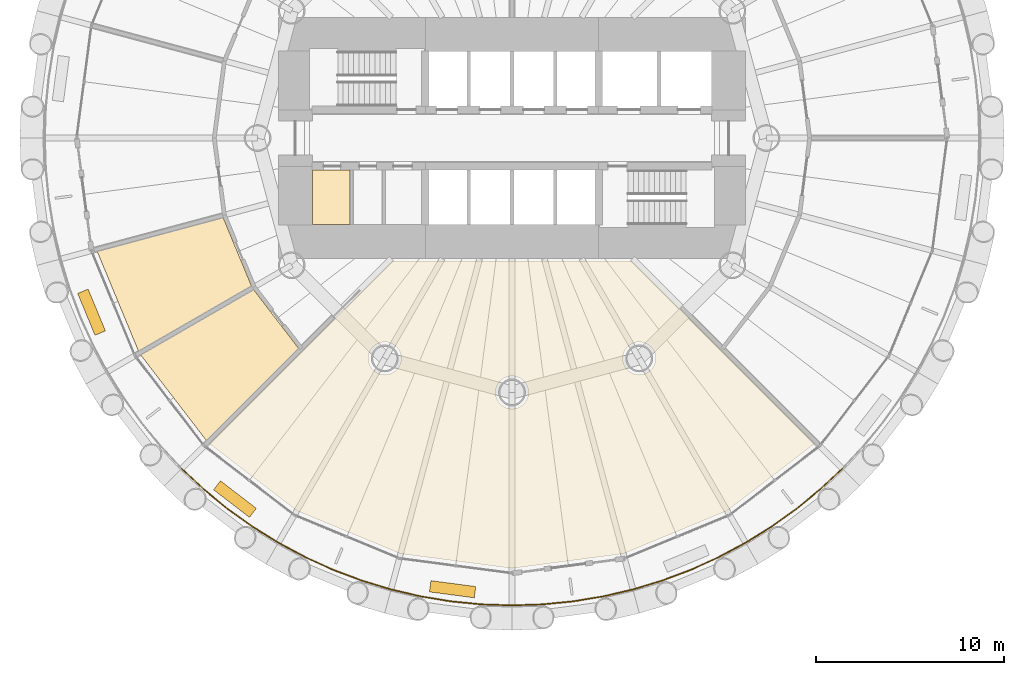
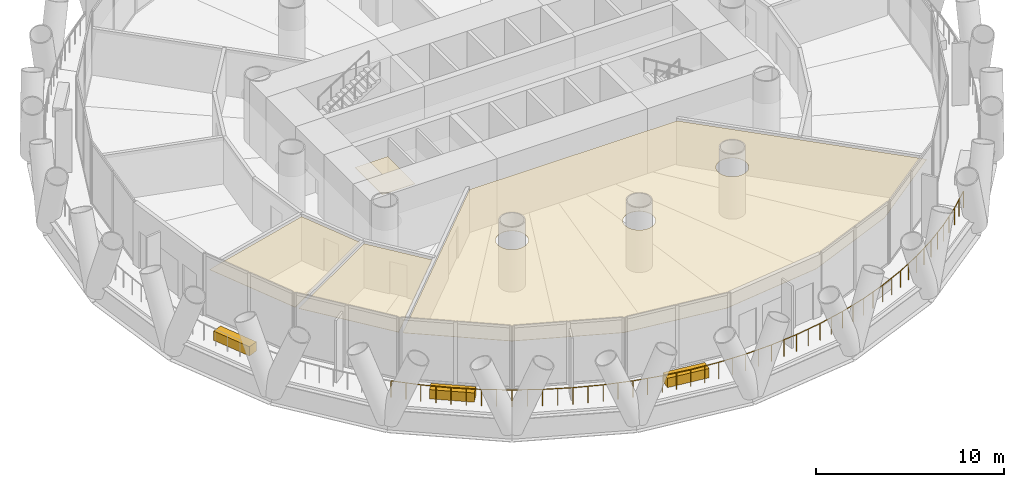
# One storey, part 11 of 14: 7 coverings, 1 railing.
"""IFC4 building model written with IfcOpenShell, lengths in metres."""

from ifc_helpers import new_model, si_unit, direction, frame, origin, origin_2d, place, context, subcontext, project, spatial, polyline, rectangle, circle, outline, extrude, material, layer, layer_set, type_object, element, save


model = new_model("IFC4")

# Units and contexts
model_context = context("Model", 3, precision=1e-05, world=origin(), true_north=direction((0.0, 1.0)))
body_context = subcontext(model_context, "Body", "Model", "MODEL_VIEW")
ifc_project = project(units=[si_unit("LENGTHUNIT", "METRE"), si_unit("AREAUNIT", "SQUARE_METRE"), si_unit("VOLUMEUNIT", "CUBIC_METRE"), si_unit("PLANEANGLEUNIT", "RADIAN"), si_unit("MASSUNIT", "GRAM", prefix="KILO")], contexts=[model_context])

# Site, building, storey
site_placement = place(None, origin())
site = spatial("IfcSite", under=ifc_project, at=site_placement, CompositionType="ELEMENT")
building_placement = place(site_placement, origin())
building = spatial("IfcBuilding", under=site, at=building_placement, Name="Qaws Media Tower", CompositionType="ELEMENT")
storey_placement = place(building_placement, frame((0.0, 0.0, 76.39990234375)))
storey = spatial("IfcBuildingStorey", under=building, at=storey_placement, Name="L16", CompositionType="ELEMENT", Elevation=76.39990234375)

# Railing
ifc_material_1 = material(Name="Stainless steel and glass guard", Category="steel")
railing_type = type_object("IfcRailingType", Name="Balcony guard 1100", PredefinedType="GUARDRAIL", material=ifc_material_1)
railing_placement = place(storey_placement, frame((42.4638671875, 32.4638671875, 0.0)))
element("IfcRailing", 1, at=railing_placement, inside=storey, type_object=railing_type, Name="GR1 balcony guard L16-3", PredefinedType="GUARDRAIL", context=body_context, shape_type="SweptSolid", body=[
    extrude(circle(Radius=0.02392578125, at=origin_2d()), frame((0.0, 0.0, 1.076171875), z_axis=(0.729823335563, -0.683635794022, 0.0), x_axis=(0.683635794022, 0.729823335563, 0.0)), (0.0, 0.0, 1.0), 1.622802734375),
    extrude(circle(Radius=0.02392578125, at=origin_2d()), frame((1.184326171875, -1.109375, 1.076171875), z_axis=(0.773044998385, -0.634351188595, 0.0), x_axis=(0.634351188595, 0.773044998385, 0.0)), (0.0, 0.0, 1.0), 1.623046875),
    extrude(circle(Radius=0.02392578125, at=origin_2d()), frame((2.43896484375, -2.138916015625, 1.076171875), z_axis=(0.812827812024, -0.582504032604, 0.0), x_axis=(0.582504032604, 0.812827812024, 0.0)), (0.0, 0.0, 1.0), 1.622802734375),
    extrude(circle(Radius=0.02392578125, at=origin_2d()), frame((3.758056640625, -3.084228515625, 1.076171875), z_axis=(0.849154052867, -0.528145239967, 0.0), x_axis=(0.528145239967, 0.849154052867, 0.0)), (0.0, 0.0, 1.0), 1.623046875),
    extrude(circle(Radius=0.02392578125, at=origin_2d()), frame((5.13623046875, -3.94140625, 1.076171875), z_axis=(0.881940295508, -0.471361130301, 0.0), x_axis=(0.471361130301, 0.881940295508, 0.0)), (0.0, 0.0, 1.0), 1.622802734375),
    extrude(circle(Radius=0.02392578125, at=origin_2d()), frame((6.5673828125, -4.706298828125, 1.076171875), z_axis=(0.910891239734, -0.412646518677, 0.0), x_axis=(0.412646518677, 0.910891239734, 0.0)), (0.0, 0.0, 1.0), 1.622802734375),
    extrude(circle(Radius=0.02392578125, at=origin_2d()), frame((8.045654296875, -5.3759765625, 1.076171875), z_axis=(0.935877089003, -0.352326658486, 0.0), x_axis=(0.352326658486, 0.935877089003, 0.0)), (0.0, 0.0, 1.0), 1.622802734375),
    extrude(circle(Radius=0.02392578125, at=origin_2d()), frame((9.564453125, -5.94775390625, 1.076171875), z_axis=(0.956923127669, -0.290341398585, 0.0), x_axis=(0.290341398585, 0.956923127669, 0.0)), (0.0, 0.0, 1.0), 1.622802734375),
    extrude(circle(Radius=0.02392578125, at=origin_2d()), frame((11.117431640625, -6.4189453125, 1.076171875), z_axis=(0.973894444351, -0.227001346389, 0.0), x_axis=(0.227001346389, 0.973894444351, 0.0)), (0.0, 0.0, 1.0), 1.623046875),
    extrude(circle(Radius=0.02392578125, at=origin_2d()), frame((12.697998046875, -6.787353515625, 1.076171875), z_axis=(0.986636807112, -0.162934989647, 0.0), x_axis=(0.162934989647, 0.986636807112, 0.0)), (0.0, 0.0, 1.0), 1.622802734375),
    extrude(circle(Radius=0.02392578125, at=origin_2d()), frame((14.299072265625, -7.0517578125, 1.076171875), z_axis=(0.995192364026, -0.097939565983, 0.0), x_axis=(0.097939565983, 0.995192364026, 0.0)), (0.0, 0.0, 1.0), 1.622802734375),
    extrude(circle(Radius=0.02392578125, at=origin_2d()), frame((15.9140625, -7.210693359375, 1.076171875), z_axis=(0.999462135048, -0.032793911114, 0.0), x_axis=(0.032793911114, 0.999462135048, 0.0)), (0.0, 0.0, 1.0), 1.623046875),
    extrude(circle(Radius=0.02392578125, at=origin_2d()), frame((17.5361328125, -7.263916015625, 1.076171875), z_axis=(0.999462135048, 0.032793911114, 0.0), x_axis=(-0.032793911114, 0.999462135048, 0.0)), (0.0, 0.0, 1.0), 1.623046875),
    extrude(circle(Radius=0.02392578125, at=origin_2d()), frame((19.158203125, -7.210693359375, 1.076171875), z_axis=(0.995192364026, 0.097939565983, 0.0), x_axis=(-0.097939565983, 0.995192364026, 0.0)), (0.0, 0.0, 1.0), 1.622802734375),
    extrude(circle(Radius=0.02392578125, at=origin_2d()), frame((20.773193359375, -7.0517578125, 1.076171875), z_axis=(0.986636807112, 0.162934989647, 0.0), x_axis=(-0.162934989647, 0.986636807112, 0.0)), (0.0, 0.0, 1.0), 1.622802734375),
    extrude(circle(Radius=0.02392578125, at=origin_2d()), frame((22.374267578125, -6.787353515625, 1.076171875), z_axis=(0.973894444351, 0.227001346389, 0.0), x_axis=(-0.227001346389, 0.973894444351, 0.0)), (0.0, 0.0, 1.0), 1.623046875),
    extrude(circle(Radius=0.02392578125, at=origin_2d()), frame((23.954833984375, -6.4189453125, 1.076171875), z_axis=(0.956923127669, 0.290341398585, 0.0), x_axis=(-0.290341398585, 0.956923127669, 0.0)), (0.0, 0.0, 1.0), 1.622802734375),
    extrude(circle(Radius=0.02392578125, at=origin_2d()), frame((25.5078125, -5.94775390625, 1.076171875), z_axis=(0.935877089003, 0.352326658486, 0.0), x_axis=(-0.352326658486, 0.935877089003, 0.0)), (0.0, 0.0, 1.0), 1.622802734375),
    extrude(circle(Radius=0.02392578125, at=origin_2d()), frame((27.026611328125, -5.3759765625, 1.076171875), z_axis=(0.910891239734, 0.412646518677, 0.0), x_axis=(-0.412646518677, 0.910891239734, 0.0)), (0.0, 0.0, 1.0), 1.622802734375),
    extrude(circle(Radius=0.02392578125, at=origin_2d()), frame((28.5048828125, -4.706298828125, 1.076171875), z_axis=(0.881940295508, 0.471361130301, 0.0), x_axis=(-0.471361130301, 0.881940295508, 0.0)), (0.0, 0.0, 1.0), 1.622802734375),
    extrude(circle(Radius=0.02392578125, at=origin_2d()), frame((29.93603515625, -3.94140625, 1.076171875), z_axis=(0.849154052867, 0.528145239967, 0.0), x_axis=(-0.528145239967, 0.849154052867, 0.0)), (0.0, 0.0, 1.0), 1.623046875),
    extrude(circle(Radius=0.02392578125, at=origin_2d()), frame((31.314208984375, -3.084228515625, 1.076171875), z_axis=(0.812827812024, 0.582504032604, 0.0), x_axis=(-0.582504032604, 0.812827812024, 0.0)), (0.0, 0.0, 1.0), 1.622802734375),
    extrude(circle(Radius=0.02392578125, at=origin_2d()), frame((32.63330078125, -2.138916015625, 1.076171875), z_axis=(0.773044998385, 0.634351188595, 0.0), x_axis=(-0.634351188595, 0.773044998385, 0.0)), (0.0, 0.0, 1.0), 1.623046875),
    extrude(circle(Radius=0.02392578125, at=origin_2d()), frame((33.887939453125, -1.109375, 1.076171875), z_axis=(0.729823335563, 0.683635794022, 0.0), x_axis=(-0.683635794022, 0.729823335563, 0.0)), (0.0, 0.0, 1.0), 1.622802734375),
    extrude(circle(Radius=0.02099609375, at=origin_2d()), origin(), (0.0, 0.0, 1.0), 1.052001953125),
    extrude(circle(Radius=0.02099609375, at=origin_2d()), frame((0.59228515625, -0.5546875, 0.0)), (0.0, 0.0, 1.0), 1.052001953125),
    extrude(circle(Radius=0.02099609375, at=origin_2d()), frame((1.184326171875, -1.109375, 0.0)), (0.0, 0.0, 1.0), 1.052001953125),
    extrude(circle(Radius=0.02099609375, at=origin_2d()), frame((1.8115234375, -1.6240234375, 0.0)), (0.0, 0.0, 1.0), 1.052001953125),
    extrude(circle(Radius=0.02099609375, at=origin_2d()), frame((2.43896484375, -2.138916015625, 0.0)), (0.0, 0.0, 1.0), 1.052001953125),
    extrude(circle(Radius=0.02099609375, at=origin_2d()), frame((3.0986328125, -2.611572265625, 0.0)), (0.0, 0.0, 1.0), 1.052001953125),
    extrude(circle(Radius=0.02099609375, at=origin_2d()), frame((3.758056640625, -3.084228515625, 0.0)), (0.0, 0.0, 1.0), 1.052001953125),
    extrude(circle(Radius=0.02099609375, at=origin_2d()), frame((4.447265625, -3.5126953125, 0.0)), (0.0, 0.0, 1.0), 1.052001953125),
    extrude(circle(Radius=0.02099609375, at=origin_2d()), frame((5.13623046875, -3.94140625, 0.0)), (0.0, 0.0, 1.0), 1.052001953125),
    extrude(circle(Radius=0.02099609375, at=origin_2d()), frame((5.851806640625, -4.32373046875, 0.0)), (0.0, 0.0, 1.0), 1.052001953125),
    extrude(circle(Radius=0.02099609375, at=origin_2d()), frame((6.5673828125, -4.706298828125, 0.0)), (0.0, 0.0, 1.0), 1.052001953125),
    extrude(circle(Radius=0.02099609375, at=origin_2d()), frame((7.306640625, -5.041015625, 0.0)), (0.0, 0.0, 1.0), 1.052001953125),
    extrude(circle(Radius=0.02099609375, at=origin_2d()), frame((8.045654296875, -5.3759765625, 0.0)), (0.0, 0.0, 1.0), 1.052001953125),
    extrude(circle(Radius=0.02099609375, at=origin_2d()), frame((8.80517578125, -5.661865234375, 0.0)), (0.0, 0.0, 1.0), 1.052001953125),
    extrude(circle(Radius=0.02099609375, at=origin_2d()), frame((9.564453125, -5.94775390625, 0.0)), (0.0, 0.0, 1.0), 1.052001953125),
    extrude(circle(Radius=0.02099609375, at=origin_2d()), frame((10.3408203125, -6.183349609375, 0.0)), (0.0, 0.0, 1.0), 1.052001953125),
    extrude(circle(Radius=0.02099609375, at=origin_2d()), frame((11.117431640625, -6.4189453125, 0.0)), (0.0, 0.0, 1.0), 1.052001953125),
    extrude(circle(Radius=0.02099609375, at=origin_2d()), frame((11.90771484375, -6.60302734375, 0.0)), (0.0, 0.0, 1.0), 1.052001953125),
    extrude(circle(Radius=0.02099609375, at=origin_2d()), frame((12.697998046875, -6.787353515625, 0.0)), (0.0, 0.0, 1.0), 1.052001953125),
    extrude(circle(Radius=0.02099609375, at=origin_2d()), frame((13.49853515625, -6.91943359375, 0.0)), (0.0, 0.0, 1.0), 1.052001953125),
    extrude(circle(Radius=0.02099609375, at=origin_2d()), frame((14.299072265625, -7.0517578125, 0.0)), (0.0, 0.0, 1.0), 1.052001953125),
    extrude(circle(Radius=0.02099609375, at=origin_2d()), frame((15.1064453125, -7.13134765625, 0.0)), (0.0, 0.0, 1.0), 1.052001953125),
    extrude(circle(Radius=0.02099609375, at=origin_2d()), frame((15.9140625, -7.210693359375, 0.0)), (0.0, 0.0, 1.0), 1.052001953125),
    extrude(circle(Radius=0.02099609375, at=origin_2d()), frame((16.72509765625, -7.2373046875, 0.0)), (0.0, 0.0, 1.0), 1.052001953125),
    extrude(circle(Radius=0.02099609375, at=origin_2d()), frame((17.5361328125, -7.263916015625, 0.0)), (0.0, 0.0, 1.0), 1.052001953125),
    extrude(circle(Radius=0.02099609375, at=origin_2d()), frame((18.34716796875, -7.2373046875, 0.0)), (0.0, 0.0, 1.0), 1.052001953125),
    extrude(circle(Radius=0.02099609375, at=origin_2d()), frame((19.158203125, -7.210693359375, 0.0)), (0.0, 0.0, 1.0), 1.052001953125),
    extrude(circle(Radius=0.02099609375, at=origin_2d()), frame((19.9658203125, -7.13134765625, 0.0)), (0.0, 0.0, 1.0), 1.052001953125),
    extrude(circle(Radius=0.02099609375, at=origin_2d()), frame((20.773193359375, -7.0517578125, 0.0)), (0.0, 0.0, 1.0), 1.052001953125),
    extrude(circle(Radius=0.02099609375, at=origin_2d()), frame((21.57373046875, -6.91943359375, 0.0)), (0.0, 0.0, 1.0), 1.052001953125),
    extrude(circle(Radius=0.02099609375, at=origin_2d()), frame((22.374267578125, -6.787353515625, 0.0)), (0.0, 0.0, 1.0), 1.052001953125),
    extrude(circle(Radius=0.02099609375, at=origin_2d()), frame((23.16455078125, -6.60302734375, 0.0)), (0.0, 0.0, 1.0), 1.052001953125),
    extrude(circle(Radius=0.02099609375, at=origin_2d()), frame((23.954833984375, -6.4189453125, 0.0)), (0.0, 0.0, 1.0), 1.052001953125),
    extrude(circle(Radius=0.02099609375, at=origin_2d()), frame((24.7314453125, -6.183349609375, 0.0)), (0.0, 0.0, 1.0), 1.052001953125),
    extrude(circle(Radius=0.02099609375, at=origin_2d()), frame((25.5078125, -5.94775390625, 0.0)), (0.0, 0.0, 1.0), 1.052001953125),
    extrude(circle(Radius=0.02099609375, at=origin_2d()), frame((26.26708984375, -5.661865234375, 0.0)), (0.0, 0.0, 1.0), 1.052001953125),
    extrude(circle(Radius=0.02099609375, at=origin_2d()), frame((27.026611328125, -5.3759765625, 0.0)), (0.0, 0.0, 1.0), 1.052001953125),
    extrude(circle(Radius=0.02099609375, at=origin_2d()), frame((27.765625, -5.041015625, 0.0)), (0.0, 0.0, 1.0), 1.052001953125),
    extrude(circle(Radius=0.02099609375, at=origin_2d()), frame((28.5048828125, -4.706298828125, 0.0)), (0.0, 0.0, 1.0), 1.052001953125),
    extrude(circle(Radius=0.02099609375, at=origin_2d()), frame((29.220458984375, -4.32373046875, 0.0)), (0.0, 0.0, 1.0), 1.052001953125),
    extrude(circle(Radius=0.02099609375, at=origin_2d()), frame((29.93603515625, -3.94140625, 0.0)), (0.0, 0.0, 1.0), 1.052001953125),
    extrude(circle(Radius=0.02099609375, at=origin_2d()), frame((30.625, -3.5126953125, 0.0)), (0.0, 0.0, 1.0), 1.052001953125),
    extrude(circle(Radius=0.02099609375, at=origin_2d()), frame((31.314208984375, -3.084228515625, 0.0)), (0.0, 0.0, 1.0), 1.052001953125),
    extrude(circle(Radius=0.02099609375, at=origin_2d()), frame((31.9736328125, -2.611572265625, 0.0)), (0.0, 0.0, 1.0), 1.052001953125),
    extrude(circle(Radius=0.02099609375, at=origin_2d()), frame((32.63330078125, -2.138916015625, 0.0)), (0.0, 0.0, 1.0), 1.052001953125),
    extrude(circle(Radius=0.02099609375, at=origin_2d()), frame((33.2607421875, -1.6240234375, 0.0)), (0.0, 0.0, 1.0), 1.052001953125),
    extrude(circle(Radius=0.02099609375, at=origin_2d()), frame((33.887939453125, -1.109375, 0.0)), (0.0, 0.0, 1.0), 1.052001953125),
    extrude(circle(Radius=0.02099609375, at=origin_2d()), frame((34.47998046875, -0.5546875, 0.0)), (0.0, 0.0, 1.0), 1.052001953125),
    extrude(circle(Radius=0.02099609375, at=origin_2d()), frame((35.072265625, 0.0, 0.0)), (0.0, 0.0, 1.0), 1.052001953125),
])

# Coverings
ifc_material_2 = material(Name="600 x 600 mineral fibre tiles in exposed grid, suspended", Category="mineral fibre")
ifc_layer_1 = layer(ifc_material_2, 0.02001953125)
ifc_layer_set_1 = layer_set([ifc_layer_1], Name="Mineral fibre tile ceiling 20")
covering_type_1 = type_object("IfcCoveringType", Name="Mineral fibre tile ceiling 20", PredefinedType="CEILING", material=ifc_layer_set_1)
covering_1_placement = place(storey_placement, frame((0.0, 0.0, 2.85009765625)))
element("IfcCovering", 2, at=covering_1_placement, inside=storey, type_object=covering_type_1, Name="CL1 ceiling L16-07 Gents toilets", PredefinedType="CEILING", context=body_context, shape_type="SweptSolid", body=[
    extrude(outline(polyline([(37.986328125, 43.985107421875), (44.672119140625, 45.776611328125), (46.175048828125, 42.148193359375), (40.1806640625, 38.687255859375), (37.986328125, 43.985107421875)])), origin(), (0.0, 0.0, 1.0), 0.02001953125),
])
covering_2_placement = place(storey_placement, frame((0.0, 0.0, 2.85009765625)))
element("IfcCovering", 3, at=covering_2_placement, inside=storey, type_object=covering_type_1, Name="CL1 ceiling L16-08 Ladies toilets", PredefinedType="CEILING", context=body_context, shape_type="SweptSolid", body=[
    extrude(outline(polyline([(40.293212890625, 38.492431640625), (46.28759765625, 41.953125), (48.678466796875, 38.83740234375), (43.783935546875, 33.943115234375), (40.293212890625, 38.492431640625)])), origin(), (0.0, 0.0, 1.0), 0.02001953125),
])
covering_3_placement = place(storey_placement, frame((0.0, 0.0, 2.85009765625)))
element("IfcCovering", 4, at=covering_3_placement, inside=storey, type_object=covering_type_1, Name="CL1 ceiling L16-09 Graphics workroom", PredefinedType="CEILING", context=body_context, shape_type="SweptSolid", body=[
    extrude(outline(polyline([(76.056884765625, 33.783935546875), (71.41748046875, 30.22412109375), (65.91015625, 27.94287109375), (60.0, 27.164794921875), (54.08984375, 27.94287109375), (48.58251953125, 30.22412109375), (43.943115234375, 33.783935546875), (53.646484375, 43.487548828125), (66.353515625, 43.487548828125), (76.056884765625, 33.783935546875)]), holes=[polyline([(54.09130859375, 38.083251953125), (54.113525390625, 38.195068359375), (54.12109375, 38.30859375), (54.113525390625, 38.42236328125), (54.09130859375, 38.5341796875), (54.0546875, 38.64208984375), (54.00439453125, 38.744140625), (53.94091796875, 38.8388671875), (53.865966796875, 38.924560546875), (53.7802734375, 38.999755859375), (53.685546875, 39.06298828125), (53.583251953125, 39.11328125), (53.475341796875, 39.14990234375), (53.36376953125, 39.172119140625), (53.25, 39.1796875), (53.13623046875, 39.172119140625), (53.024658203125, 39.14990234375), (52.916748046875, 39.11328125), (52.814453125, 39.06298828125), (52.7197265625, 38.999755859375), (52.634033203125, 38.924560546875), (52.55908203125, 38.8388671875), (52.49560546875, 38.744140625), (52.4453125, 38.64208984375), (52.40869140625, 38.5341796875), (52.386474609375, 38.42236328125), (52.37890625, 38.30859375), (52.386474609375, 38.195068359375), (52.40869140625, 38.083251953125), (52.4453125, 37.975341796875), (52.49560546875, 37.873291015625), (52.55908203125, 37.7783203125), (52.634033203125, 37.69287109375), (52.7197265625, 37.61767578125), (52.814453125, 37.55419921875), (52.916748046875, 37.50390625), (53.024658203125, 37.46728515625), (53.13623046875, 37.445068359375), (53.25, 37.437744140625), (53.36376953125, 37.445068359375), (53.475341796875, 37.46728515625), (53.583251953125, 37.50390625), (53.685546875, 37.55419921875), (53.7802734375, 37.61767578125), (53.865966796875, 37.69287109375), (53.94091796875, 37.7783203125), (54.00439453125, 37.873291015625), (54.0546875, 37.975341796875), (54.09130859375, 38.083251953125)]), polyline([(60.84130859375, 36.274658203125), (60.863525390625, 36.38623046875), (60.87109375, 36.5), (60.863525390625, 36.61376953125), (60.84130859375, 36.725341796875), (60.8046875, 36.833251953125), (60.75439453125, 36.935546875), (60.69091796875, 37.0302734375), (60.615966796875, 37.115966796875), (60.5302734375, 37.19091796875), (60.435546875, 37.25439453125), (60.333251953125, 37.3046875), (60.225341796875, 37.34130859375), (60.11376953125, 37.363525390625), (60.0, 37.37109375), (59.88623046875, 37.363525390625), (59.774658203125, 37.34130859375), (59.666748046875, 37.3046875), (59.564453125, 37.25439453125), (59.4697265625, 37.19091796875), (59.384033203125, 37.115966796875), (59.30908203125, 37.0302734375), (59.24560546875, 36.935546875), (59.1953125, 36.833251953125), (59.15869140625, 36.725341796875), (59.136474609375, 36.61376953125), (59.12890625, 36.5), (59.136474609375, 36.38623046875), (59.15869140625, 36.274658203125), (59.1953125, 36.166748046875), (59.24560546875, 36.064453125), (59.30908203125, 35.9697265625), (59.384033203125, 35.884033203125), (59.4697265625, 35.80908203125), (59.564453125, 35.74560546875), (59.666748046875, 35.6953125), (59.774658203125, 35.65869140625), (59.88623046875, 35.636474609375), (60.0, 35.62890625), (60.11376953125, 35.636474609375), (60.225341796875, 35.65869140625), (60.333251953125, 35.6953125), (60.435546875, 35.74560546875), (60.5302734375, 35.80908203125), (60.615966796875, 35.884033203125), (60.69091796875, 35.9697265625), (60.75439453125, 36.064453125), (60.8046875, 36.166748046875), (60.84130859375, 36.274658203125)]), polyline([(67.5546875, 37.975341796875), (67.59130859375, 38.083251953125), (67.613525390625, 38.195068359375), (67.62109375, 38.30859375), (67.613525390625, 38.42236328125), (67.59130859375, 38.5341796875), (67.5546875, 38.64208984375), (67.50439453125, 38.744140625), (67.44091796875, 38.8388671875), (67.365966796875, 38.924560546875), (67.2802734375, 38.999755859375), (67.185546875, 39.06298828125), (67.083251953125, 39.11328125), (66.975341796875, 39.14990234375), (66.86376953125, 39.172119140625), (66.75, 39.1796875), (66.63623046875, 39.172119140625), (66.524658203125, 39.14990234375), (66.416748046875, 39.11328125), (66.314453125, 39.06298828125), (66.2197265625, 38.999755859375), (66.134033203125, 38.924560546875), (66.05908203125, 38.8388671875), (65.99560546875, 38.744140625), (65.9453125, 38.64208984375), (65.90869140625, 38.5341796875), (65.886474609375, 38.42236328125), (65.87890625, 38.30859375), (65.886474609375, 38.195068359375), (65.90869140625, 38.083251953125), (65.9453125, 37.975341796875), (65.99560546875, 37.873291015625), (66.05908203125, 37.7783203125), (66.134033203125, 37.69287109375), (66.2197265625, 37.61767578125), (66.314453125, 37.55419921875), (66.416748046875, 37.50390625), (66.524658203125, 37.46728515625), (66.63623046875, 37.445068359375), (66.75, 37.437744140625), (66.86376953125, 37.445068359375), (66.975341796875, 37.46728515625), (67.083251953125, 37.50390625), (67.185546875, 37.55419921875), (67.2802734375, 37.61767578125), (67.365966796875, 37.69287109375), (67.44091796875, 37.7783203125), (67.50439453125, 37.873291015625), (67.5546875, 37.975341796875)])]), origin(), (0.0, 0.0, 1.0), 0.02001953125),
])
ifc_material_3 = material(Name="Precast concrete planter with trailing planting", Category="concrete")
ifc_layer_2 = layer(ifc_material_3, 0.60009765625)
ifc_layer_set_2 = layer_set([ifc_layer_2], Name="Planter 2400x600")
covering_type_2 = type_object("IfcCoveringType", Name="Planter 2400x600", PredefinedType="USERDEFINED", material=ifc_layer_set_2)
for number, where, z_axis, x_axis, name in (
    (5, (37.688232421875, 40.75830078125, 0.0), (0.0, 0.0, 1.0), (0.382683432365, -0.923879532511, 0.0), "PL1 balcony planter L16-07"),
    (6, (45.29833984375, 30.840576171875, 0.0), (0.0, 0.0, 1.0), (0.793353340291, -0.608761429009, 0.0), "PL1 balcony planter L16-08"),
    (7, (56.847900390625, 26.056640625, 0.0), (0.0, 0.0, 1.0), (0.991444861374, -0.13052619222, 0.0), "PL1 balcony planter L16-09"),
):
    element("IfcCovering", number, at=place(storey_placement, frame(where, z_axis=z_axis, x_axis=x_axis)), inside=storey, type_object=covering_type_2, Name=name, ObjectType="PLANTER", PredefinedType="USERDEFINED", context=body_context, shape_type="SweptSolid", body=[
        extrude(rectangle(XDim=2.39990234375, YDim=0.60009765625, at=origin_2d()), origin(), (0.0, 0.0, 1.0), 0.60009765625),
    ])
ifc_material_4 = material(Name="Two layers 12.5 moisture-resistant plasterboard on suspended metal furring", Category="gypsum")
ifc_layer_3 = layer(ifc_material_4, 0.02490234375)
ifc_layer_set_3 = layer_set([ifc_layer_3], Name="Plasterboard ceiling 25")
covering_type_3 = type_object("IfcCoveringType", Name="Plasterboard ceiling 25", PredefinedType="CEILING", material=ifc_layer_set_3)
covering_4_placement = place(storey_placement, frame((0.0, 0.0, 2.85009765625)))
element("IfcCovering", 8, at=covering_4_placement, inside=storey, type_object=covering_type_3, Name="CL2 ceiling L16-C04 WC male", PredefinedType="CEILING", context=body_context, shape_type="SweptSolid", body=[
    extrude(outline(polyline([(49.39990234375, 45.39990234375), (49.39990234375, 48.300048828125), (51.39990234375, 48.300048828125), (51.39990234375, 45.39990234375), (49.39990234375, 45.39990234375)])), origin(), (0.0, 0.0, 1.0), 0.02490234375),
])

save(model, "model.ifc")
